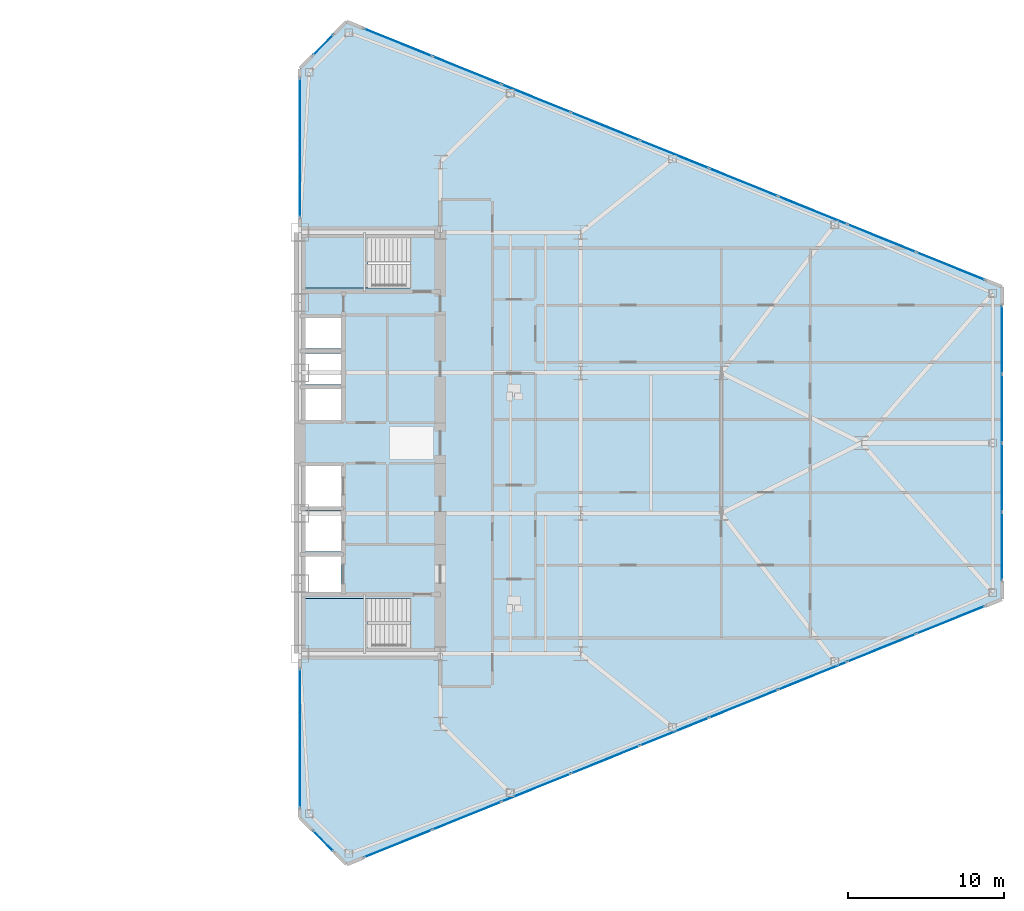
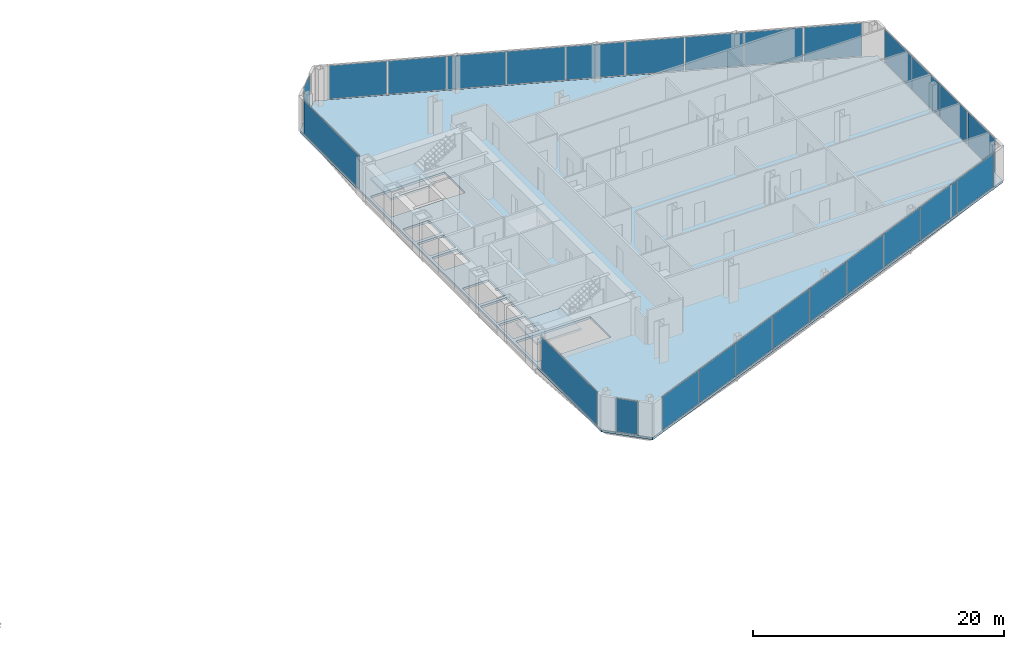
# One storey, part 16 of 25: 26 plates, 3 slabs, 9 elements without a shape of their own.
"""IFC4 building model written with IfcOpenShell, lengths in metres."""

from ifc_helpers import new_model, si_unit, direction, frame, origin, origin_2d, place, context, subcontext, project, spatial, polyline, rectangle, outline, extrude, source, transform, mapped, material, layer, layer_set, type_object, type_shapes, element, aggregate, save


model = new_model("IFC4")

# Units and contexts
model_context = context("Model", 3, precision=1e-05, world=origin(), true_north=direction((0.0, 1.0)))
body_context = subcontext(model_context, "Body", "Model", "MODEL_VIEW")
ifc_project = project(units=[si_unit("LENGTHUNIT", "METRE"), si_unit("AREAUNIT", "SQUARE_METRE"), si_unit("VOLUMEUNIT", "CUBIC_METRE"), si_unit("PLANEANGLEUNIT", "RADIAN"), si_unit("MASSUNIT", "GRAM", prefix="KILO")], contexts=[model_context])

# Site, building, storey
site_placement = place(None, origin())
site = spatial("IfcSite", under=ifc_project, at=site_placement, CompositionType="ELEMENT")
building_placement = place(site_placement, origin())
building = spatial("IfcBuilding", under=site, at=building_placement, Name="Seokmaru Belvedere", CompositionType="ELEMENT")
storey_placement = place(building_placement, frame((0.0, 0.0, 44.10009765625)))
storey = spatial("IfcBuildingStorey", under=building, at=storey_placement, Name="L11", CompositionType="ELEMENT", Elevation=44.10009765625)

# Stair, slab
ifc_material_1 = material(Name="Concrete C40 (40 MPa)", Category="concrete")
stair_type = type_object("IfcStairType", Name="Typical Tower Core Dog-Leg Stair 3600", PredefinedType="TWO_STRAIGHT_RUN_STAIR", material=ifc_material_1)
stair_1_placement = place(storey_placement, origin())
stair_1 = element("IfcStair", 1, at=stair_1_placement, inside=storey, type_object=stair_type, Name="L11 Special Escape Stair ST-E1", PredefinedType="TWO_STRAIGHT_RUN_STAIR")
ifc_layer_1 = layer(ifc_material_1, 0.199951171875)
ifc_layer_set_1 = layer_set([ifc_layer_1], Name="Concrete C40 (40 MPa)")
slab_type_1 = type_object("IfcSlabType", Name="Reinforced Concrete Stair Landing Slab 200", PredefinedType="LANDING", material=ifc_layer_set_1)
slab_1_placement = place(storey_placement, frame((0.0, 0.0, 1.599853515625)))
slab_1 = element("IfcSlab", 2, at=slab_1_placement, type_object=slab_type_1, Name="ST-E1 landing 1", PredefinedType="LANDING", context=body_context, shape_type="SweptSolid", body=[
    extrude(outline(polyline([(27.760009765625, -13.239990234375), (31.8798828125, -13.239990234375), (31.8798828125, -9.949951171875), (27.760009765625, -9.949951171875), (27.760009765625, -13.239990234375)])), origin(), (0.0, 0.0, 1.0), 0.199951171875),
])
aggregate(stair_1, [slab_1])

stair_2_placement = place(storey_placement, origin())
stair_2 = element("IfcStair", 3, at=stair_2_placement, inside=storey, type_object=stair_type, Name="L11 Special Escape Stair ST-E2", PredefinedType="TWO_STRAIGHT_RUN_STAIR")
slab_2_placement = place(storey_placement, frame((0.0, 0.0, 1.599853515625)))
slab_2 = element("IfcSlab", 4, at=slab_2_placement, type_object=slab_type_1, Name="ST-E2 landing 1", PredefinedType="LANDING", context=body_context, shape_type="SweptSolid", body=[
    extrude(outline(polyline([(27.760009765625, 9.949951171875), (31.8798828125, 9.949951171875), (31.8798828125, 13.239990234375), (27.760009765625, 13.239990234375), (27.760009765625, 9.949951171875)])), origin(), (0.0, 0.0, 1.0), 0.199951171875),
])
aggregate(stair_2, [slab_2])

# Slab
ifc_layer_2 = layer(ifc_material_1, 0.219970703125)
ifc_layer_set_2 = layer_set([ifc_layer_2], Name="Concrete C40 (40 MPa)")
slab_type_2 = type_object("IfcSlabType", Name="Typical Tower Composite Floor Slab 220", PredefinedType="FLOOR", material=ifc_layer_set_2)
slab_3_placement = place(storey_placement, frame((0.0, 0.0, -0.22021484375)))
element("IfcSlab", 5, at=slab_3_placement, inside=storey, type_object=slab_type_2, Name="L11 East Leg Floor Slab", PredefinedType="FLOOR", context=body_context, shape_type="SweptSolid", body=[
    extrude(outline(polyline([(30.5, -27.0), (72.5, -10.0), (72.5, 10.0), (30.5, 27.0), (27.5, 24.0), (27.5, -24.0), (30.5, -27.0)]), holes=[polyline([(27.75, -13.25), (34.60009765625, -13.25), (34.60009765625, -9.949951171875), (27.75, -9.949951171875), (27.75, -13.25)]), polyline([(27.75, 9.949951171875), (34.60009765625, 9.949951171875), (34.60009765625, 13.25), (27.75, 13.25), (27.75, 9.949951171875)]), polyline([(27.75, -9.550048828125), (30.14990234375, -9.550048828125), (30.14990234375, -7.25), (27.75, -7.25), (27.75, -9.550048828125)]), polyline([(27.75, -6.949951171875), (30.14990234375, -6.949951171875), (30.14990234375, -4.35009765625), (27.75, -4.35009765625), (27.75, -6.949951171875)]), polyline([(27.75, -4.050048828125), (30.14990234375, -4.050048828125), (30.14990234375, -1.449951171875), (27.75, -1.449951171875), (27.75, -4.050048828125)]), polyline([(27.75, 1.449951171875), (30.14990234375, 1.449951171875), (30.14990234375, 3.449951171875), (27.75, 3.449951171875), (27.75, 1.449951171875)]), polyline([(27.75, 3.75), (30.14990234375, 3.75), (30.14990234375, 5.75), (27.75, 5.75), (27.75, 3.75)]), polyline([(27.75, 6.050048828125), (30.14990234375, 6.050048828125), (30.14990234375, 8.050048828125), (27.75, 8.050048828125), (27.75, 6.050048828125)])]), origin(), (0.0, 0.0, 1.0), 0.22021484375),
])

# Curtain wall, plate
ifc_material_2 = material(Name="Bronze Triple Insulating Glass", Category="glass")
ifc_layer_3 = layer(ifc_material_2, 0.2099609375)
ifc_layer_set_3 = layer_set([ifc_layer_3], Name="Bronze Triple Insulating Glass")
curtain_wall_type = type_object("IfcCurtainWallType", Name="Low-Rise Faceted Crystal Curtain Wall System CW-2", PredefinedType="NOTDEFINED", material=ifc_layer_set_3)
curtain_wall_1_placement = place(storey_placement, origin())
curtain_wall_1 = element("IfcCurtainWall", 6, at=curtain_wall_1_placement, inside=storey, type_object=curtain_wall_type, Name="L11 Curtain Wall ESP_1", PredefinedType="NOTDEFINED")
ifc_layer_4 = layer(ifc_material_2, 0.035888671875)
ifc_layer_set_4 = layer_set([ifc_layer_4], Name="Bronze Triple Insulating Glass")
plate_type = type_object("IfcPlateType", Name="Bronze Triple Vision Glazing Panel 36", PredefinedType="CURTAIN_PANEL", material=ifc_layer_set_4)
shared_shape_1 = source(origin(), body_context, "Body", "SweptSolid", [
    extrude(rectangle(XDim=8.85009765625, YDim=0.035888671875, at=origin_2d()), origin(), (0.0, 0.0, 1.0), 3.239990234375),
])
plate_1_placement = place(storey_placement, frame((27.5, -18.929931640625, 0.06982421875), z_axis=(0.0, 0.0, 1.0), x_axis=(0.0, -1.0, 0.0)))
plate_1 = element("IfcPlate", 7, at=plate_1_placement, type_object=plate_type, Name="CW:L11:ESP_1 Glazing Panel 1-1", PredefinedType="CURTAIN_PANEL", context=body_context, shape_type="MappedRepresentation", body=[
    mapped(shared_shape_1, transform((0.0, 0.0, 0.0), scale=1.0)),
])
aggregate(curtain_wall_1, [plate_1])

curtain_wall_2_placement = place(storey_placement, origin())
curtain_wall_2 = element("IfcCurtainWall", 8, at=curtain_wall_2_placement, inside=storey, type_object=curtain_wall_type, Name="L11 Curtain Wall ESP_2", PredefinedType="NOTDEFINED")
plate_2_placement = place(storey_placement, frame((27.5, 18.929931640625, 0.06982421875), z_axis=(0.0, 0.0, 1.0), x_axis=(0.0, -1.0, 0.0)))
plate_2 = element("IfcPlate", 9, at=plate_2_placement, type_object=plate_type, Name="CW:L11:ESP_2 Glazing Panel 1-1", PredefinedType="CURTAIN_PANEL", context=body_context, shape_type="MappedRepresentation", body=[
    mapped(shared_shape_1, transform((0.0, 0.0, 0.0), scale=1.0)),
])
aggregate(curtain_wall_2, [plate_2])

curtain_wall_3_placement = place(storey_placement, origin())
curtain_wall_3 = element("IfcCurtainWall", 10, at=curtain_wall_3_placement, inside=storey, type_object=curtain_wall_type, Name="L11 Curtain Wall EF4", PredefinedType="NOTDEFINED")
shared_shape_2 = source(origin(), body_context, "Body", "SweptSolid", [
    extrude(rectangle(XDim=1.79248046875, YDim=0.035888671875, at=origin_2d()), origin(), (0.0, 0.0, 1.0), 3.239990234375),
])
plate_3_placement = place(storey_placement, frame((29.0, 25.5, 0.06982421875), z_axis=(0.0, 0.0, 1.0), x_axis=(-0.707106781187, -0.707106781187, 0.0)))
plate_3 = element("IfcPlate", 11, at=plate_3_placement, type_object=plate_type, Name="CW:L11:EF4 Glazing Panel 1-1", PredefinedType="CURTAIN_PANEL", context=body_context, shape_type="MappedRepresentation", body=[
    mapped(shared_shape_2, transform((0.0, 0.0, 0.0), scale=1.0)),
])
aggregate(curtain_wall_3, [plate_3])

curtain_wall_4_placement = place(storey_placement, origin())
curtain_wall_4 = element("IfcCurtainWall", 12, at=curtain_wall_4_placement, inside=storey, type_object=curtain_wall_type, Name="L11 Curtain Wall EF6", PredefinedType="NOTDEFINED")
plate_4_placement = place(storey_placement, frame((29.0, -25.5, 0.06982421875), z_axis=(0.0, 0.0, 1.0), x_axis=(0.707106781187, -0.707106781187, 0.0)))
plate_4 = element("IfcPlate", 13, at=plate_4_placement, type_object=plate_type, Name="CW:L11:EF6 Glazing Panel 1-1", PredefinedType="CURTAIN_PANEL", context=body_context, shape_type="MappedRepresentation", body=[
    mapped(shared_shape_2, transform((0.0, 0.0, 0.0), scale=1.0)),
])
aggregate(curtain_wall_4, [plate_4])

# Curtain wall, plates
curtain_wall_5_placement = place(storey_placement, origin())
curtain_wall_5 = element("IfcCurtainWall", 14, at=curtain_wall_5_placement, inside=storey, type_object=curtain_wall_type, Name="L11 Curtain Wall EF1", PredefinedType="NOTDEFINED")
shared_shape_3 = source(origin(), body_context, "Body", "SweptSolid", [
    extrude(rectangle(XDim=4.66650390625, YDim=0.035888671875, at=origin_2d()), origin(), (0.0, 0.0, 1.0), 3.239990234375),
])
plate_5_placement = place(storey_placement, frame((33.79833984375, -25.6650390625, 0.06982421875), z_axis=(0.0, 0.0, 1.0), x_axis=(0.926946989637, 0.375192321888, 0.0)))
plate_5 = element("IfcPlate", 15, at=plate_5_placement, type_object=plate_type, Name="CW:L11:EF1 Glazing Panel 1-1", PredefinedType="CURTAIN_PANEL", context=body_context, shape_type="MappedRepresentation", body=[
    mapped(shared_shape_3, transform((0.0, 0.0, 0.0), scale=1.0)),
])
plate_6_placement = place(storey_placement, frame((69.20166015625, -11.3349609375, 0.06982421875), z_axis=(0.0, 0.0, 1.0), x_axis=(0.926946989637, 0.375192321888, 0.0)))
plate_6 = element("IfcPlate", 16, at=plate_6_placement, type_object=plate_type, Name="CW:L11:EF1 Glazing Panel 9-1", PredefinedType="CURTAIN_PANEL", context=body_context, shape_type="MappedRepresentation", body=[
    mapped(shared_shape_3, transform((0.0, 0.0, 0.0), scale=1.0)),
])

curtain_wall_6_placement = place(storey_placement, origin())
curtain_wall_6 = element("IfcCurtainWall", 17, at=curtain_wall_6_placement, inside=storey, type_object=curtain_wall_type, Name="L11 Curtain Wall EF3", PredefinedType="NOTDEFINED")
plate_7_placement = place(storey_placement, frame((69.20166015625, 11.3349609375, 0.06982421875), z_axis=(0.0, 0.0, 1.0), x_axis=(-0.926946989637, 0.375192321888, 0.0)))
plate_7 = element("IfcPlate", 18, at=plate_7_placement, type_object=plate_type, Name="CW:L11:EF3 Glazing Panel 1-1", PredefinedType="CURTAIN_PANEL", context=body_context, shape_type="MappedRepresentation", body=[
    mapped(shared_shape_3, transform((0.0, 0.0, 0.0), scale=1.0)),
])
plate_8_placement = place(storey_placement, frame((33.79833984375, 25.6650390625, 0.06982421875), z_axis=(0.0, 0.0, 1.0), x_axis=(-0.926946989637, 0.375192321888, 0.0)))
plate_8 = element("IfcPlate", 19, at=plate_8_placement, type_object=plate_type, Name="CW:L11:EF3 Glazing Panel 9-1", PredefinedType="CURTAIN_PANEL", context=body_context, shape_type="MappedRepresentation", body=[
    mapped(shared_shape_3, transform((0.0, 0.0, 0.0), scale=1.0)),
])

# Plate
shared_shape_4 = source(origin(), body_context, "Body", "SweptSolid", [
    extrude(rectangle(XDim=4.703857421875, YDim=0.035888671875, at=origin_2d()), origin(), (0.0, 0.0, 1.0), 3.239990234375),
])
plate_9_placement = place(storey_placement, frame((38.210693359375, -23.87890625, 0.06982421875), z_axis=(0.0, 0.0, 1.0), x_axis=(0.926946989637, 0.375192321888, 0.0)))
plate_9 = element("IfcPlate", 20, at=plate_9_placement, type_object=plate_type, Name="CW:L11:EF1 Glazing Panel 2-1", PredefinedType="CURTAIN_PANEL", context=body_context, shape_type="MappedRepresentation", body=[
    mapped(shared_shape_4, transform((0.0, 0.0, 0.0), scale=1.0)),
])

plate_10_placement = place(storey_placement, frame((42.640380859375, -22.0859375, 0.06982421875), z_axis=(0.0, 0.0, 1.0), x_axis=(0.926946989637, 0.375192321888, 0.0)))
plate_10 = element("IfcPlate", 21, at=plate_10_placement, type_object=plate_type, Name="CW:L11:EF1 Glazing Panel 3-1", PredefinedType="CURTAIN_PANEL", context=body_context, shape_type="MappedRepresentation", body=[
    mapped(shared_shape_4, transform((0.0, 0.0, 0.0), scale=1.0)),
])

plate_11_placement = place(storey_placement, frame((47.0703125, -20.29296875, 0.06982421875), z_axis=(0.0, 0.0, 1.0), x_axis=(0.926946989637, 0.375192321888, 0.0)))
plate_11 = element("IfcPlate", 22, at=plate_11_placement, type_object=plate_type, Name="CW:L11:EF1 Glazing Panel 4-1", PredefinedType="CURTAIN_PANEL", context=body_context, shape_type="MappedRepresentation", body=[
    mapped(shared_shape_4, transform((0.0, 0.0, 0.0), scale=1.0)),
])

plate_12_placement = place(storey_placement, frame((51.5, -18.5, 0.06982421875), z_axis=(0.0, 0.0, 1.0), x_axis=(0.926946989637, 0.375192321888, 0.0)))
plate_12 = element("IfcPlate", 23, at=plate_12_placement, type_object=plate_type, Name="CW:L11:EF1 Glazing Panel 5-1", PredefinedType="CURTAIN_PANEL", context=body_context, shape_type="MappedRepresentation", body=[
    mapped(shared_shape_4, transform((0.0, 0.0, 0.0), scale=1.0)),
])

plate_13_placement = place(storey_placement, frame((55.9296875, -16.70703125, 0.06982421875), z_axis=(0.0, 0.0, 1.0), x_axis=(0.926946989637, 0.375192321888, 0.0)))
plate_13 = element("IfcPlate", 24, at=plate_13_placement, type_object=plate_type, Name="CW:L11:EF1 Glazing Panel 6-1", PredefinedType="CURTAIN_PANEL", context=body_context, shape_type="MappedRepresentation", body=[
    mapped(shared_shape_4, transform((0.0, 0.0, 0.0), scale=1.0)),
])

plate_14_placement = place(storey_placement, frame((60.359619140625, -14.9140625, 0.06982421875), z_axis=(0.0, 0.0, 1.0), x_axis=(0.926946989637, 0.375192321888, 0.0)))
plate_14 = element("IfcPlate", 25, at=plate_14_placement, type_object=plate_type, Name="CW:L11:EF1 Glazing Panel 7-1", PredefinedType="CURTAIN_PANEL", context=body_context, shape_type="MappedRepresentation", body=[
    mapped(shared_shape_4, transform((0.0, 0.0, 0.0), scale=1.0)),
])

plate_15_placement = place(storey_placement, frame((64.789306640625, -13.12109375, 0.06982421875), z_axis=(0.0, 0.0, 1.0), x_axis=(0.926946989637, 0.375192321888, 0.0)))
plate_15 = element("IfcPlate", 26, at=plate_15_placement, type_object=plate_type, Name="CW:L11:EF1 Glazing Panel 8-1", PredefinedType="CURTAIN_PANEL", context=body_context, shape_type="MappedRepresentation", body=[
    mapped(shared_shape_4, transform((0.0, 0.0, 0.0), scale=1.0)),
])

aggregate(curtain_wall_5, [plate_5, plate_9, plate_10, plate_11, plate_12, plate_13, plate_14, plate_15, plate_6])

plate_16_placement = place(storey_placement, frame((64.789306640625, 13.12109375, 0.06982421875), z_axis=(0.0, 0.0, 1.0), x_axis=(-0.926946989637, 0.375192321888, 0.0)))
plate_16 = element("IfcPlate", 27, at=plate_16_placement, type_object=plate_type, Name="CW:L11:EF3 Glazing Panel 2-1", PredefinedType="CURTAIN_PANEL", context=body_context, shape_type="MappedRepresentation", body=[
    mapped(shared_shape_4, transform((0.0, 0.0, 0.0), scale=1.0)),
])

plate_17_placement = place(storey_placement, frame((60.359619140625, 14.9140625, 0.06982421875), z_axis=(0.0, 0.0, 1.0), x_axis=(-0.926946989637, 0.375192321888, 0.0)))
plate_17 = element("IfcPlate", 28, at=plate_17_placement, type_object=plate_type, Name="CW:L11:EF3 Glazing Panel 3-1", PredefinedType="CURTAIN_PANEL", context=body_context, shape_type="MappedRepresentation", body=[
    mapped(shared_shape_4, transform((0.0, 0.0, 0.0), scale=1.0)),
])

plate_18_placement = place(storey_placement, frame((55.9296875, 16.70703125, 0.06982421875), z_axis=(0.0, 0.0, 1.0), x_axis=(-0.926946989637, 0.375192321888, 0.0)))
plate_18 = element("IfcPlate", 29, at=plate_18_placement, type_object=plate_type, Name="CW:L11:EF3 Glazing Panel 4-1", PredefinedType="CURTAIN_PANEL", context=body_context, shape_type="MappedRepresentation", body=[
    mapped(shared_shape_4, transform((0.0, 0.0, 0.0), scale=1.0)),
])

plate_19_placement = place(storey_placement, frame((51.5, 18.5, 0.06982421875), z_axis=(0.0, 0.0, 1.0), x_axis=(-0.926946989637, 0.375192321888, 0.0)))
plate_19 = element("IfcPlate", 30, at=plate_19_placement, type_object=plate_type, Name="CW:L11:EF3 Glazing Panel 5-1", PredefinedType="CURTAIN_PANEL", context=body_context, shape_type="MappedRepresentation", body=[
    mapped(shared_shape_4, transform((0.0, 0.0, 0.0), scale=1.0)),
])

plate_20_placement = place(storey_placement, frame((47.0703125, 20.29296875, 0.06982421875), z_axis=(0.0, 0.0, 1.0), x_axis=(-0.926946989637, 0.375192321888, 0.0)))
plate_20 = element("IfcPlate", 31, at=plate_20_placement, type_object=plate_type, Name="CW:L11:EF3 Glazing Panel 6-1", PredefinedType="CURTAIN_PANEL", context=body_context, shape_type="MappedRepresentation", body=[
    mapped(shared_shape_4, transform((0.0, 0.0, 0.0), scale=1.0)),
])

plate_21_placement = place(storey_placement, frame((42.640380859375, 22.0859375, 0.06982421875), z_axis=(0.0, 0.0, 1.0), x_axis=(-0.926946989637, 0.375192321888, 0.0)))
plate_21 = element("IfcPlate", 32, at=plate_21_placement, type_object=plate_type, Name="CW:L11:EF3 Glazing Panel 7-1", PredefinedType="CURTAIN_PANEL", context=body_context, shape_type="MappedRepresentation", body=[
    mapped(shared_shape_4, transform((0.0, 0.0, 0.0), scale=1.0)),
])

plate_22_placement = place(storey_placement, frame((38.210693359375, 23.87890625, 0.06982421875), z_axis=(0.0, 0.0, 1.0), x_axis=(-0.926946989637, 0.375192321888, 0.0)))
plate_22 = element("IfcPlate", 33, at=plate_22_placement, type_object=plate_type, Name="CW:L11:EF3 Glazing Panel 8-1", PredefinedType="CURTAIN_PANEL", context=body_context, shape_type="MappedRepresentation", body=[
    mapped(shared_shape_4, transform((0.0, 0.0, 0.0), scale=1.0)),
])

aggregate(curtain_wall_6, [plate_7, plate_16, plate_17, plate_18, plate_19, plate_20, plate_21, plate_22, plate_8])

# Curtain wall, plates
curtain_wall_7_placement = place(storey_placement, origin())
curtain_wall_7 = element("IfcCurtainWall", 34, at=curtain_wall_7_placement, inside=storey, type_object=curtain_wall_type, Name="L11 Curtain Wall EF2", PredefinedType="NOTDEFINED")
shared_shape_5 = source(origin(), body_context, "Body", "SweptSolid", [
    extrude(rectangle(XDim=4.3125, YDim=0.035888671875, at=origin_2d()), origin(), (0.0, 0.0, 1.0), 3.239990234375),
])
plate_23_placement = place(storey_placement, frame((72.5, -6.61865234375, 0.06982421875), z_axis=(0.0, 0.0, 1.0), x_axis=(0.0, 1.0, 0.0)))
plate_23 = element("IfcPlate", 35, at=plate_23_placement, type_object=plate_type, Name="CW:L11:EF2 Glazing Panel 1-1", PredefinedType="CURTAIN_PANEL", context=body_context, shape_type="MappedRepresentation", body=[
    mapped(shared_shape_5, transform((0.0, 0.0, 0.0), scale=1.0)),
])
plate_24_placement = place(storey_placement, frame((72.5, 6.61865234375, 0.06982421875), z_axis=(0.0, 0.0, 1.0), x_axis=(0.0, 1.0, 0.0)))
plate_24 = element("IfcPlate", 36, at=plate_24_placement, type_object=plate_type, Name="CW:L11:EF2 Glazing Panel 4-1", PredefinedType="CURTAIN_PANEL", context=body_context, shape_type="MappedRepresentation", body=[
    mapped(shared_shape_5, transform((0.0, 0.0, 0.0), scale=1.0)),
])
shared_shape_6 = source(origin(), body_context, "Body", "SweptSolid", [
    extrude(rectangle(XDim=4.35009765625, YDim=0.035888671875, at=origin_2d()), origin(), (0.0, 0.0, 1.0), 3.239990234375),
])
type_shapes(plate_type, [shared_shape_1, shared_shape_2, shared_shape_3, shared_shape_4, shared_shape_5, shared_shape_6])
plate_25_placement = place(storey_placement, frame((72.5, -2.21240234375, 0.06982421875), z_axis=(0.0, 0.0, 1.0), x_axis=(0.0, 1.0, 0.0)))
plate_25 = element("IfcPlate", 37, at=plate_25_placement, type_object=plate_type, Name="CW:L11:EF2 Glazing Panel 2-1", PredefinedType="CURTAIN_PANEL", context=body_context, shape_type="MappedRepresentation", body=[
    mapped(shared_shape_6, transform((0.0, 0.0, 0.0), scale=1.0)),
])
plate_26_placement = place(storey_placement, frame((72.5, 2.21240234375, 0.06982421875), z_axis=(0.0, 0.0, 1.0), x_axis=(0.0, 1.0, 0.0)))
plate_26 = element("IfcPlate", 38, at=plate_26_placement, type_object=plate_type, Name="CW:L11:EF2 Glazing Panel 3-1", PredefinedType="CURTAIN_PANEL", context=body_context, shape_type="MappedRepresentation", body=[
    mapped(shared_shape_6, transform((0.0, 0.0, 0.0), scale=1.0)),
])
aggregate(curtain_wall_7, [plate_23, plate_25, plate_26, plate_24])

save(model, "model.ifc")
